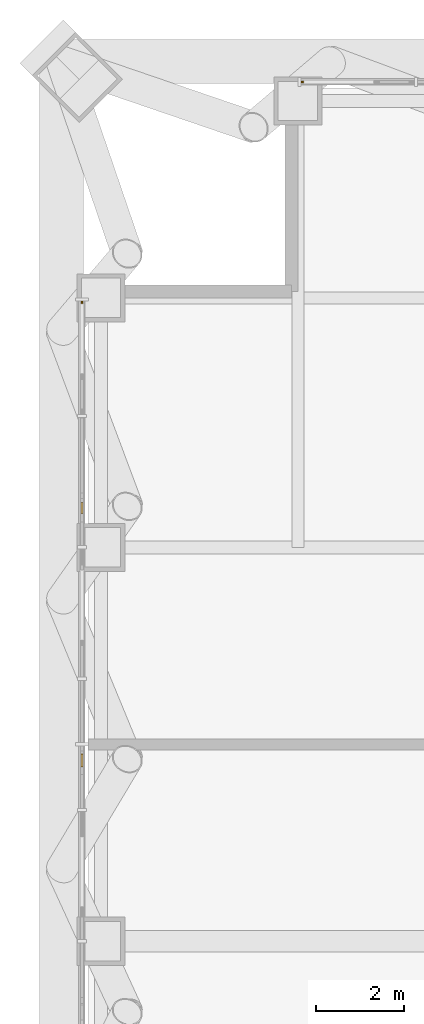
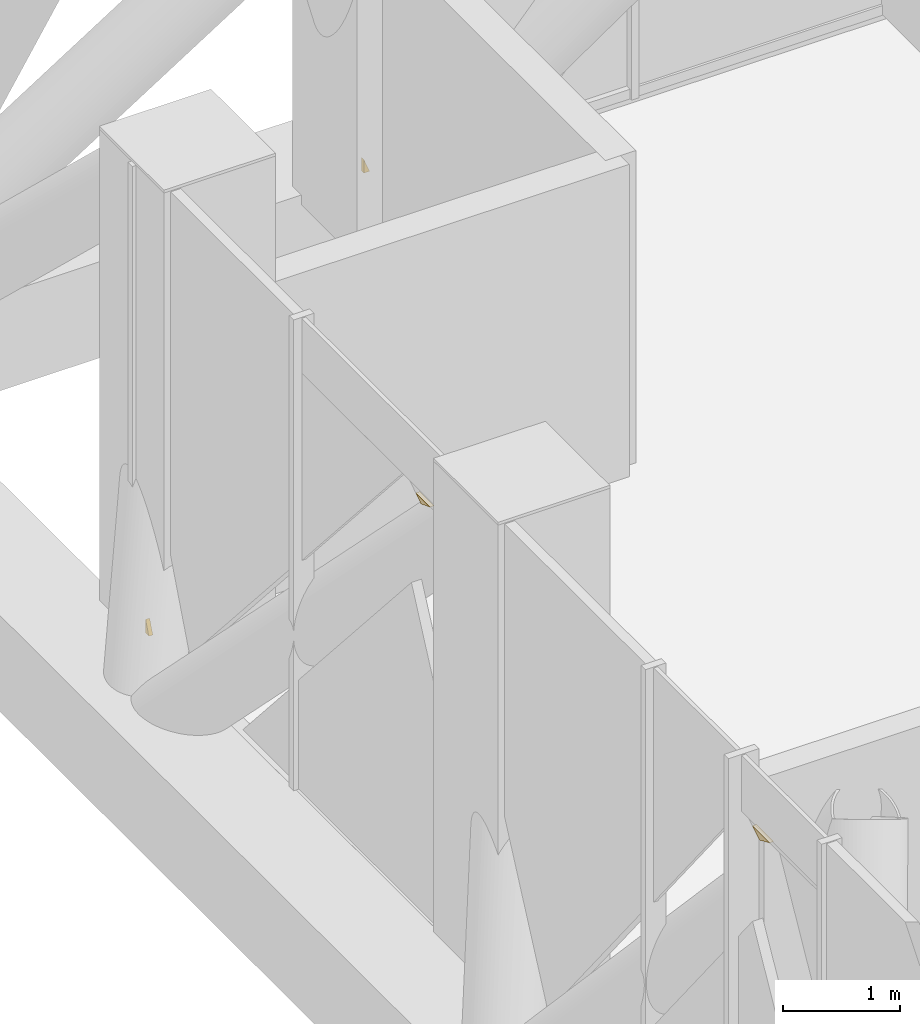
# One storey, part 25 of 29: 4 coverings.
"""IFC4 building model written with IfcOpenShell, lengths in metres."""

import ifcopenshell
import ifcopenshell.guid

model = None  # the IFC model being written
_history = None  # IfcOwnerHistory: only IFC2X3 demands one
_inside = {}  # id of a spatial element -> (the spatial element, [elements in it])
_under = {}  # id of a project, library or spatial element -> (it, [spatial elements below it])
_declared = {}  # id of a project -> (the project, [libraries it declares])
_typed = {}  # id of a type object -> (the type object, [elements of that type])
_made_of = {}  # id of a material, layer set ... -> (it, [elements and type objects made of it])


def new_model(schema):
    """Start an empty IFC model of exactly this schema.

    Asked for "IFC4X3", IfcOpenShell would pick the latest addendum, in which some entities
    have other attributes; the version numbers below select the first issue.
    IFC2X3 requires an IfcOwnerHistory on every rooted entity: one is made here for all.
    """
    global model, _history
    if schema == "IFC4X3":
        model = ifcopenshell.file(schema_version=(4, 3, 0, 0))
    else:
        model = ifcopenshell.file(schema=schema)
    _inside.clear()
    _under.clear()
    _declared.clear()
    _typed.clear()
    _made_of.clear()
    _history = None
    if model.schema == "IFC2X3":
        org = make("IfcOrganization", Name="unknown")
        user = make(
            "IfcPersonAndOrganization",
            ThePerson=make("IfcPerson", FamilyName="unknown"),
            TheOrganization=org,
        )
        app = make(
            "IfcApplication",
            ApplicationDeveloper=org,
            Version="unknown",
            ApplicationFullName="unknown",
            ApplicationIdentifier="unknown",
        )
        _history = make(
            "IfcOwnerHistory",
            OwningUser=user,
            OwningApplication=app,
            ChangeAction="ADDED",
            CreationDate=0,
        )
    return model


def make(cls, **values):
    """One entity of the class cls with the attributes given. An attribute that is None is left unset."""
    return model.create_entity(
        cls, **{name: value for name, value in values.items() if value is not None}
    )


def rooted(cls, **values):
    """An entity with a GlobalId (a new one), such as an element, a storey or a relation."""
    return make(cls, GlobalId=ifcopenshell.guid.new(), OwnerHistory=_history, **values)


def si_unit(unit_type, name, prefix=None):
    """IfcSIUnit, for example si_unit("LENGTHUNIT", "METRE", prefix="MILLI")."""
    return make("IfcSIUnit", UnitType=unit_type, Prefix=prefix, Name=name)


def assignment(units):
    """IfcUnitAssignment: the units of a project."""
    return None if units is None else make("IfcUnitAssignment", Units=units)


def point(xyz):
    """IfcCartesianPoint."""
    return None if xyz is None else make("IfcCartesianPoint", Coordinates=xyz)


def direction(xyz):
    """IfcDirection."""
    return None if xyz is None else make("IfcDirection", DirectionRatios=xyz)


def frame(location, z_axis=None, x_axis=None):
    """IfcAxis2Placement3D, a coordinate frame: its origin and axes. An axis left out is left unset."""
    return make(
        "IfcAxis2Placement3D",
        Location=point(location),
        Axis=direction(z_axis),
        RefDirection=direction(x_axis),
    )


def origin():
    """The frame at (0, 0, 0) with its axes left unset."""
    return frame((0.0, 0.0, 0.0))


def place(relative_to, where):
    """IfcLocalPlacement: puts the frame where relative to a parent placement (None: the world)."""
    return make(
        "IfcLocalPlacement", PlacementRelTo=relative_to, RelativePlacement=where
    )


def context(
    kind, dimensions, precision=None, world=None, true_north=None, identifier=None
):
    """IfcGeometricRepresentationContext, for example the 3D "Model" context."""
    return make(
        "IfcGeometricRepresentationContext",
        ContextIdentifier=identifier,
        ContextType=kind,
        CoordinateSpaceDimension=dimensions,
        Precision=precision,
        WorldCoordinateSystem=world,
        TrueNorth=true_north,
    )


def subcontext(parent, identifier, kind, view, scale=None):
    """IfcGeometricRepresentationSubContext, for example "Body" below "Model"."""
    return make(
        "IfcGeometricRepresentationSubContext",
        ContextIdentifier=identifier,
        ContextType=kind,
        ParentContext=parent,
        TargetScale=scale,
        TargetView=view,
    )


def project(units=None, contexts=None):
    """IfcProject with its units and contexts."""
    return rooted(
        "IfcProject",
        Name="project",
        RepresentationContexts=contexts,
        UnitsInContext=assignment(units),
    )


def spatial(cls, under=None, at=None, **own):
    """A site, building, storey or space (cls), placed at a placement, below another one or the project."""
    s = rooted(cls, ObjectPlacement=at, **own)
    if under is not None:
        _under.setdefault(under.id(), (under, []))[1].append(s)
    return s


def polyline(points):
    """IfcPolyline through the points."""
    return make("IfcPolyline", Points=[point(p) for p in points])


def outline(outer, holes=None, kind="AREA"):
    """IfcArbitraryClosedProfileDef: a profile drawn as a closed curve; with holes, ...WithVoids."""
    if holes is None:
        return make("IfcArbitraryClosedProfileDef", ProfileType=kind, OuterCurve=outer)
    return make(
        "IfcArbitraryProfileDefWithVoids",
        ProfileType=kind,
        OuterCurve=outer,
        InnerCurves=holes,
    )


def extrude(swept, where, along, depth):
    """IfcExtrudedAreaSolid: the profile swept, set in the frame where, extruded along a direction by depth."""
    return make(
        "IfcExtrudedAreaSolid",
        SweptArea=swept,
        Position=where,
        ExtrudedDirection=direction(along),
        Depth=depth,
    )


def shape(context_of_items, identifier, shape_type, items):
    """IfcShapeRepresentation: the items that make up one representation, for example the "Body"."""
    return make(
        "IfcShapeRepresentation",
        ContextOfItems=context_of_items,
        RepresentationIdentifier=identifier,
        RepresentationType=shape_type,
        Items=items,
    )


def material(Name=None, Category=None):
    """IfcMaterial."""
    return make("IfcMaterial", Name=Name, Category=Category)


def layer(
    of_material, thickness, ventilated=None, Name=None, Category=None, Priority=None
):
    """IfcMaterialLayer: one layer of a wall or slab, of a material (None: an air gap)."""
    return make(
        "IfcMaterialLayer",
        Material=of_material,
        LayerThickness=thickness,
        IsVentilated=ventilated,
        Name=Name,
        Category=Category,
        Priority=Priority,
    )


def layer_set(layers, Name=None):
    """IfcMaterialLayerSet."""
    return make("IfcMaterialLayerSet", MaterialLayers=layers, LayerSetName=Name)


def made_of(thing, what):
    """Note that an element or type object is made of a material, layer set ...; save() writes the relation."""
    if what is not None:
        _made_of.setdefault(what.id(), (what, []))[1].append(thing)
    return thing


def type_object(cls, material=None, **own):
    """A type object (cls), such as IfcWallType, which elements share."""
    return made_of(rooted(cls, **own), material)


def element(
    cls,
    number,
    at=None,
    inside=None,
    cuts=None,
    type_object=None,
    material=None,
    context=None,
    identifier="Body",
    shape_type=None,
    held_by="IfcProductDefinitionShape",
    body=None,
    shapes=None,
    **own,
):
    """One element of the class cls, such as IfcWall. Its Tag is "e" and its number.

    at: its placement. inside: the storey or other place that contains it. cuts: it is an
    opening in that element (IfcRelVoidsElement). A single representation is given by context,
    identifier, shape_type and body (its items); several are given by shapes. held_by: the class
    of the entity that holds the representations. save() writes the other relations.
    """
    e = rooted(cls, Tag="e%d" % number, ObjectPlacement=at, **own)
    if body is not None:
        shapes = [shape(context, identifier, shape_type, body)]
    if shapes is not None:
        e.Representation = make(held_by, Representations=shapes)
    if inside is not None:
        _inside.setdefault(inside.id(), (inside, []))[1].append(e)
    if cuts is not None:
        rooted(
            "IfcRelVoidsElement", RelatingBuildingElement=cuts, RelatedOpeningElement=e
        )
    if type_object is not None:
        _typed.setdefault(type_object.id(), (type_object, []))[1].append(e)
    return made_of(e, material)


def aggregate(whole, parts):
    """IfcRelAggregates: a whole, such as a stair, and the parts it consists of."""
    return rooted("IfcRelAggregates", RelatingObject=whole, RelatedObjects=parts)


def save(model, path):
    """Write the relations noted so far, then the file.

    IfcRelAggregates (storeys below a building ...), IfcRelContainedInSpatialStructure (elements
    in a storey), IfcRelDefinesByType, IfcRelAssociatesMaterial and IfcRelDeclares: one each for
    every whole, place, type object, material and project.
    """
    for whole, parts in _under.values():
        aggregate(whole, parts)
    for where, things in _inside.values():
        rooted(
            "IfcRelContainedInSpatialStructure",
            RelatedElements=things,
            RelatingStructure=where,
        )
    for kind, things in _typed.values():
        rooted("IfcRelDefinesByType", RelatedObjects=things, RelatingType=kind)
    for what, things in _made_of.values():
        rooted("IfcRelAssociatesMaterial", RelatedObjects=things, RelatingMaterial=what)
    for by, libraries in _declared.values():
        rooted("IfcRelDeclares", RelatingContext=by, RelatedDefinitions=libraries)
    model.write(path)


model = new_model("IFC4")

# Units and contexts
model_context = context("Model", 3, precision=1e-05, world=origin(), true_north=direction((0.0, 1.0)))
body_context = subcontext(model_context, "Body", "Model", "MODEL_VIEW")
ifc_project = project(units=[si_unit("LENGTHUNIT", "METRE"), si_unit("AREAUNIT", "SQUARE_METRE"), si_unit("VOLUMEUNIT", "CUBIC_METRE"), si_unit("PLANEANGLEUNIT", "RADIAN"), si_unit("MASSUNIT", "GRAM", prefix="KILO")], contexts=[model_context])

# Site, building, storey
site_placement = place(None, origin())
site = spatial("IfcSite", under=ifc_project, at=site_placement, CompositionType="ELEMENT")
building_placement = place(site_placement, origin())
building = spatial("IfcBuilding", under=site, at=building_placement, Name="Malebo Sky Hospital", CompositionType="ELEMENT")
storey_placement = place(building_placement, frame((0.0, 0.0, 172.0)))
storey = spatial("IfcBuildingStorey", under=building, at=storey_placement, Name="L41", CompositionType="ELEMENT", Elevation=172.0)

# Coverings
ifc_material = material(Name="Anodised aluminium, natural silver insulated infill panel", Category="aluminium")
ifc_layer = layer(ifc_material, 0.0400390625)
ifc_layer_set = layer_set([ifc_layer], Name="BRACE INFILL PANEL 40")
covering_type = type_object("IfcCoveringType", Name="BRACE INFILL PANEL 40", PredefinedType="CLADDING", material=ifc_layer_set)
covering_1_placement = place(storey_placement, frame((40.90234375, 86.135009765625, 0.10009765625), z_axis=(0.0, 0.0, 1.0), x_axis=(1.0, 0.0, 0.0)))
element("IfcCovering", 1, at=covering_1_placement, inside=storey, type_object=covering_type, Name="Brace infill panel 1.2", PredefinedType="CLADDING", context=body_context, shape_type="SweptSolid", body=[
    extrude(outline(polyline([(-0.02734375, 0.0), (0.02734375, 0.0), (-0.02734375, 0.1416015625), (-0.02734375, 0.0)])), frame((0.0, 0.02001953125, 0.0), z_axis=(0.0, -1.0, 0.0), x_axis=(1.0, 0.0, 0.0)), (0.0, 0.0, 1.0), 0.0400390625),
])
covering_2_placement = place(storey_placement, frame((35.864990234375, 70.634033203125, 4.29296875), z_axis=(0.0, 0.0, 1.0), x_axis=(0.0, 1.0, 0.0)))
element("IfcCovering", 2, at=covering_2_placement, inside=storey, type_object=covering_type, Name="Brace infill panel 11.3", PredefinedType="CLADDING", context=body_context, shape_type="SweptSolid", body=[
    extrude(outline(polyline([(0.023681640625, 0.0), (0.1474609375, 0.074951171875), (-0.1474609375, 0.074951171875), (0.023681640625, 0.0)])), frame((0.0, 0.02001953125, 0.0), z_axis=(0.0, -1.0, 0.0), x_axis=(1.0, 0.0, 0.0)), (0.0, 0.0, 1.0), 0.0400390625),
])
covering_3_placement = place(storey_placement, frame((35.864990234375, 76.397216796875, 4.2919921875), z_axis=(0.0, 0.0, 1.0), x_axis=(0.0, 1.0, 0.0)))
element("IfcCovering", 3, at=covering_3_placement, inside=storey, type_object=covering_type, Name="Brace infill panel 14.4", PredefinedType="CLADDING", context=body_context, shape_type="SweptSolid", body=[
    extrude(outline(polyline([(0.0322265625, 0.0), (0.122802734375, 0.060302734375), (-0.122802734375, 0.060302734375), (0.0322265625, 0.0)])), frame((0.0, 0.02001953125, 0.0), z_axis=(0.0, -1.0, 0.0), x_axis=(1.0, 0.0, 0.0)), (0.0, 0.0, 1.0), 0.0400390625),
])
covering_4_placement = place(storey_placement, frame((35.864990234375, 81.09765625, 0.10009765625), z_axis=(0.0, 0.0, 1.0), x_axis=(0.0, 1.0, 0.0)))
element("IfcCovering", 4, at=covering_4_placement, inside=storey, type_object=covering_type, Name="Brace infill panel 15.2", PredefinedType="CLADDING", context=body_context, shape_type="SweptSolid", body=[
    extrude(outline(polyline([(-0.02734375, 0.0), (0.02734375, 0.0), (0.02734375, 0.1416015625), (-0.02734375, 0.0)])), frame((0.0, 0.02001953125, 0.0), z_axis=(0.0, -1.0, 0.0), x_axis=(1.0, 0.0, 0.0)), (0.0, 0.0, 1.0), 0.0400390625),
])

save(model, "model.ifc")
